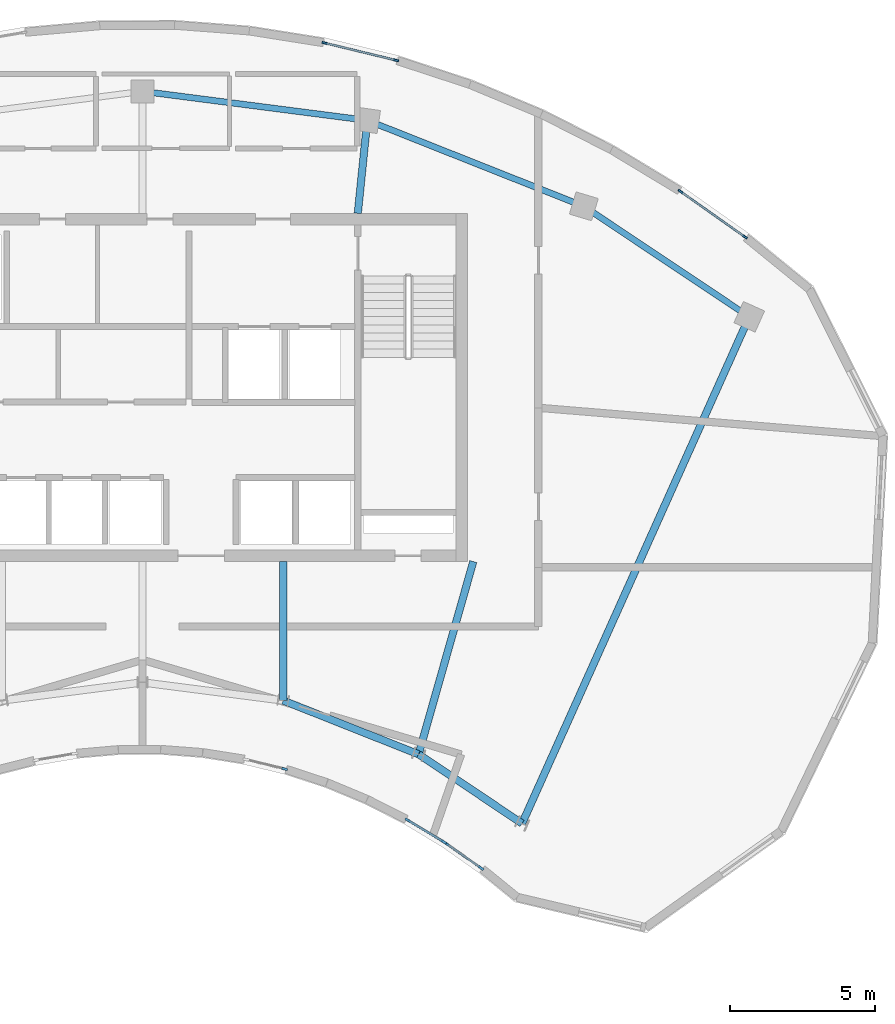
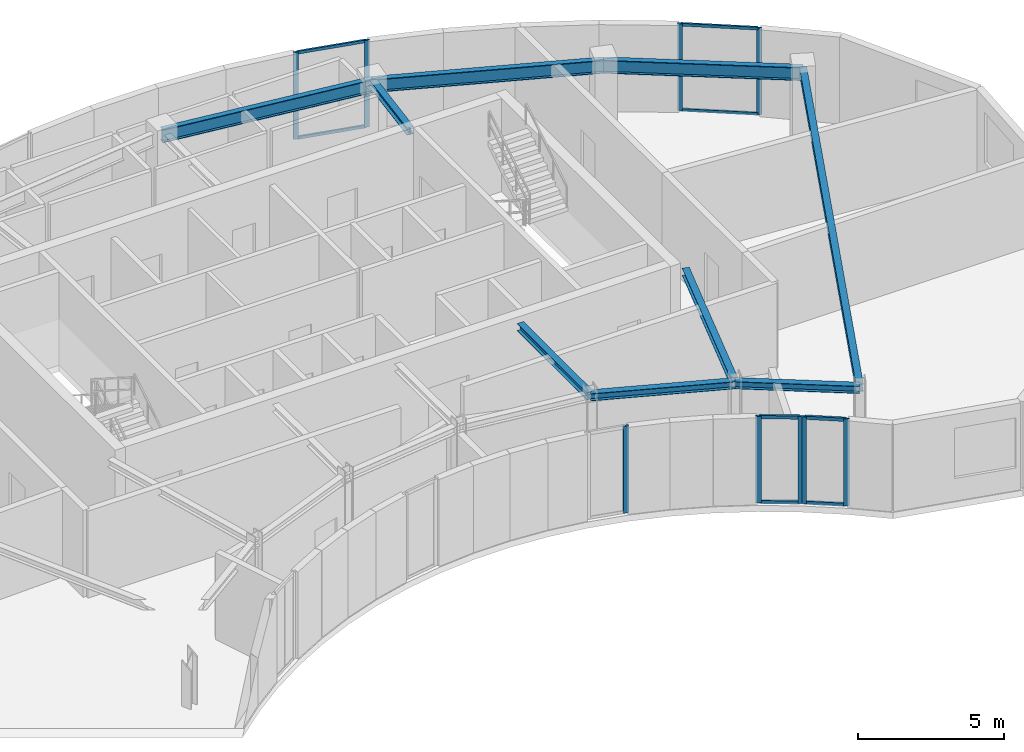
# One storey, part 3 of 9: 17 members, 9 beams, 5 elements without a shape of their own.
"""IFC4 building model written with IfcOpenShell, lengths in metres."""

from ifc_helpers import new_model, si_unit, direction, frame, origin, origin_2d, place, context, subcontext, project, spatial, rectangle, i_section, extrude, source, transform, mapped, material, layer, layer_set, material_profile, profile_set, type_object, element, aggregate, save


model = new_model("IFC4")

# Units and contexts
model_context = context("Model", 3, precision=1e-05, world=origin(), true_north=direction((0.0, 1.0)))
body_context = subcontext(model_context, "Body", "Model", "MODEL_VIEW")
ifc_project = project(units=[si_unit("LENGTHUNIT", "METRE"), si_unit("AREAUNIT", "SQUARE_METRE"), si_unit("VOLUMEUNIT", "CUBIC_METRE"), si_unit("PLANEANGLEUNIT", "RADIAN"), si_unit("MASSUNIT", "GRAM", prefix="KILO")], contexts=[model_context])

# Site, building, storey
site_placement = place(None, origin())
site = spatial("IfcSite", under=ifc_project, at=site_placement, CompositionType="ELEMENT")
building_placement = place(site_placement, origin())
building = spatial("IfcBuilding", under=site, at=building_placement, Name="Breltana Convention Tower", CompositionType="ELEMENT")
storey_placement = place(building_placement, frame((0.0, 0.0, 299.10009765625)))
storey = spatial("IfcBuildingStorey", under=building, at=storey_placement, Name="L73", CompositionType="ELEMENT", Elevation=299.10009765625)

# Beams
ifc_material_1 = material(Name="Steel ASTM A992 Grade 50", Category="steel")
ifc_material_profile_1 = material_profile(ifc_material_1, i_section(OverallWidth=0.214111328125, OverallDepth=0.549072265625, WebThickness=0.0146484375, FlangeThickness=0.023681640625, at=origin_2d()), Name="W21X93")
ifc_profile_set_1 = profile_set([ifc_material_profile_1], Name="Steel ASTM A992 Grade 50")
beam_type_1 = type_object("IfcBeamType", Name="BM-SP-W21X93", PredefinedType="SPANDREL", material=ifc_profile_set_1)
shared_shape_1 = source(origin(), body_context, "Body", "SweptSolid", [
    extrude(i_section(OverallWidth=0.214111328125, OverallDepth=0.549072265625, WebThickness=0.0146484375, FlangeThickness=0.023681640625, at=origin_2d()), origin(), (0.0, 0.0, 1.0), 8.028564453125),
])
beam_1_placement = place(storey_placement, frame((55.746826171875, 75.404296875, 3.365478515625), z_axis=(0.929459100394, -0.368925169507, 0.0), x_axis=(0.368925169507, 0.929459100394, 0.0)))
element("IfcBeam", 1, at=beam_1_placement, inside=storey, type_object=beam_type_1, Name="L73 Outer Spandrel Beam 07", PredefinedType="SPANDREL", context=body_context, shape_type="MappedRepresentation", body=[
    mapped(shared_shape_1, transform((0.0, 0.0, 0.0), scale=1.0)),
])
shared_shape_2 = source(origin(), body_context, "Body", "SweptSolid", [
    extrude(i_section(OverallWidth=0.214111328125, OverallDepth=0.549072265625, WebThickness=0.0146484375, FlangeThickness=0.023681640625, at=origin_2d()), origin(), (0.0, 0.0, 1.0), 7.81103515625),
])
beam_2_placement = place(storey_placement, frame((48.0, 76.404052734375, 3.365478515625), z_axis=(0.991775179127, -0.127992164083, 0.0), x_axis=(0.127992164083, 0.991775179127, 0.0)))
element("IfcBeam", 2, at=beam_2_placement, inside=storey, type_object=beam_type_1, Name="L73 Outer Spandrel Beam 06", PredefinedType="SPANDREL", context=body_context, shape_type="MappedRepresentation", body=[
    mapped(shared_shape_2, transform((0.0, 0.0, 0.0), scale=1.0)),
])
shared_shape_3 = source(origin(), body_context, "Body", "SweptSolid", [
    extrude(i_section(OverallWidth=0.214111328125, OverallDepth=0.549072265625, WebThickness=0.0146484375, FlangeThickness=0.023681640625, at=origin_2d()), origin(), (0.0, 0.0, 1.0), 6.856689453125),
])
beam_3_placement = place(storey_placement, frame((63.208984375, 72.4423828125, 3.365478515625), z_axis=(0.83150210718, -0.55552159792, 0.0), x_axis=(0.55552159792, 0.83150210718, 0.0)))
element("IfcBeam", 3, at=beam_3_placement, inside=storey, type_object=beam_type_1, Name="L73 Outer Spandrel Beam 08", PredefinedType="SPANDREL", context=body_context, shape_type="MappedRepresentation", body=[
    mapped(shared_shape_3, transform((0.0, 0.0, 0.0), scale=1.0)),
])
ifc_material_profile_2 = material_profile(ifc_material_1, i_section(OverallWidth=0.25390625, OverallDepth=0.305908203125, WebThickness=0.0087890625, FlangeThickness=0.0146484375, at=origin_2d()), Name="W12X53")
ifc_profile_set_2 = profile_set([ifc_material_profile_2], Name="Steel ASTM A992 Grade 50")
beam_type_2 = type_object("IfcBeamType", Name="BM-CN-W12X53", PredefinedType="BEAM", material=ifc_profile_set_2)
shared_shape_4 = source(origin(), body_context, "Body", "SweptSolid", [
    extrude(i_section(OverallWidth=0.25390625, OverallDepth=0.305908203125, WebThickness=0.0087890625, FlangeThickness=0.0146484375, at=origin_2d()), origin(), (0.0, 0.0, 1.0), 6.904541015625),
])
beam_4_placement = place(storey_placement, frame((59.39990234375, 60.199951171875, 3.48681640625), z_axis=(-0.273006781054, -0.962012108811, 0.0), x_axis=(0.962012108811, -0.273006781054, 0.0)))
element("IfcBeam", 4, at=beam_4_placement, inside=storey, type_object=beam_type_2, Name="L73 South Core Tie Girder R08", PredefinedType="BEAM", context=body_context, shape_type="MappedRepresentation", body=[
    mapped(shared_shape_4, transform((0.0, 0.0, 0.0), scale=1.0)),
])
shared_shape_5 = source(origin(), body_context, "Body", "SweptSolid", [
    extrude(i_section(OverallWidth=0.25390625, OverallDepth=0.305908203125, WebThickness=0.0087890625, FlangeThickness=0.0146484375, at=origin_2d()), origin(), (0.0, 0.0, 1.0), 4.789306640625),
])
beam_5_placement = place(storey_placement, frame((52.846435546875, 60.199951171875, 3.48681640625), z_axis=(0.0, -1.0, 0.0), x_axis=(1.0, 0.0, 0.0)))
element("IfcBeam", 5, at=beam_5_placement, inside=storey, type_object=beam_type_2, Name="L73 South Core Tie Girder R07", PredefinedType="BEAM", context=body_context, shape_type="MappedRepresentation", body=[
    mapped(shared_shape_5, transform((0.0, 0.0, 0.0), scale=1.0)),
])
shared_shape_6 = source(origin(), body_context, "Body", "SweptSolid", [
    extrude(i_section(OverallWidth=0.25390625, OverallDepth=0.305908203125, WebThickness=0.0087890625, FlangeThickness=0.0146484375, at=origin_2d()), origin(), (0.0, 0.0, 1.0), 3.220947265625),
])
beam_6_placement = place(storey_placement, frame((55.419921875, 72.199951171875, 3.48681640625), z_axis=(0.101492254858, 0.994836329355, 0.0), x_axis=(-0.994836329355, 0.101492254858, 0.0)))
element("IfcBeam", 6, at=beam_6_placement, inside=storey, type_object=beam_type_2, Name="L73 North Core Radial Girder R07", PredefinedType="BEAM", context=body_context, shape_type="MappedRepresentation", body=[
    mapped(shared_shape_6, transform((0.0, 0.0, 0.0), scale=1.0)),
])
shared_shape_7 = source(origin(), body_context, "Body", "SweptSolid", [
    extrude(i_section(OverallWidth=0.25390625, OverallDepth=0.305908203125, WebThickness=0.0087890625, FlangeThickness=0.0146484375, at=origin_2d()), origin(), (0.0, 0.0, 1.0), 19.133544921875),
])
beam_7_placement = place(storey_placement, frame((61.08203125, 51.174560546875, 3.48681640625), z_axis=(0.409144564164, 0.912469575172, 0.0), x_axis=(-0.912469575172, 0.409144564164, 0.0)))
element("IfcBeam", 7, at=beam_7_placement, inside=storey, type_object=beam_type_2, Name="L73 Radial Floor Girder R09", PredefinedType="BEAM", context=body_context, shape_type="MappedRepresentation", body=[
    mapped(shared_shape_7, transform((0.0, 0.0, 0.0), scale=1.0)),
])
shared_shape_8 = source(origin(), body_context, "Body", "SweptSolid", [
    extrude(i_section(OverallWidth=0.25390625, OverallDepth=0.305908203125, WebThickness=0.0087890625, FlangeThickness=0.0146484375, at=origin_2d()), origin(), (0.0, 0.0, 1.0), 5.022705078125),
])
beam_8_placement = place(storey_placement, frame((52.846435546875, 55.41064453125, 3.48681640625), z_axis=(0.929458966248, -0.368925507469, 0.0), x_axis=(0.368925507469, 0.929458966248, 0.0)))
element("IfcBeam", 8, at=beam_8_placement, inside=storey, type_object=beam_type_2, Name="L73 Inner Ring Beam 07", PredefinedType="BEAM", context=body_context, shape_type="MappedRepresentation", body=[
    mapped(shared_shape_8, transform((0.0, 0.0, 0.0), scale=1.0)),
])
shared_shape_9 = source(origin(), body_context, "Body", "SweptSolid", [
    extrude(i_section(OverallWidth=0.25390625, OverallDepth=0.305908203125, WebThickness=0.0087890625, FlangeThickness=0.0146484375, at=origin_2d()), origin(), (0.0, 0.0, 1.0), 4.2900390625),
])
beam_9_placement = place(storey_placement, frame((57.514892578125, 53.5576171875, 3.48681640625), z_axis=(0.831515827753, -0.555501060482, 0.0), x_axis=(0.555501060482, 0.831515827753, 0.0)))
element("IfcBeam", 9, at=beam_9_placement, inside=storey, type_object=beam_type_2, Name="L73 Inner Ring Beam 08", PredefinedType="BEAM", context=body_context, shape_type="MappedRepresentation", body=[
    mapped(shared_shape_9, transform((0.0, 0.0, 0.0), scale=1.0)),
])

# Curtain wall, members
ifc_material_2 = material(Name="Aluminium Anodised Bronze Frame", Category="aluminium")
ifc_layer_1 = layer(ifc_material_2, 0.18994140625, Name="Aluminium Anodised Bronze Frame")
ifc_layer_set_1 = layer_set([ifc_layer_1], Name="Aluminium Anodised Bronze Frame")
curtain_wall_type_1 = type_object("IfcCurtainWallType", Name="CW-SYS-1", PredefinedType="NOTDEFINED", material=ifc_layer_set_1)
curtain_wall_1_placement = place(storey_placement, origin())
curtain_wall_1 = element("IfcCurtainWall", 10, at=curtain_wall_1_placement, inside=storey, type_object=curtain_wall_type_1, Name="L73 inner south-court glazing 1", PredefinedType="NOTDEFINED")
ifc_material_3 = material(Name="Aluminium Anodised Bronze", Category="aluminium")
ifc_material_profile_3 = material_profile(ifc_material_3, rectangle(XDim=0.080078125, YDim=0.199951171875, at=origin_2d()), Name="CWM-80X200")
ifc_profile_set_3 = profile_set([ifc_material_profile_3], Name="Aluminium Anodised Bronze")
member_type_1 = type_object("IfcMemberType", Name="CWM-200", PredefinedType="MULLION", material=ifc_profile_set_3)
shared_shape_10 = source(origin(), body_context, "Body", "SweptSolid", [
    extrude(rectangle(XDim=0.080078125, YDim=0.199951171875, at=origin_2d()), origin(), (0.0, 0.0, 1.0), 3.639892578125),
])
member_1_placement = place(storey_placement, frame((59.667724609375, 49.635986328125, 0.0), z_axis=(0.0, 0.0, 1.0), x_axis=(-0.576173895534, -0.817327132857, 0.0)))
member_1 = element("IfcMember", 11, at=member_1_placement, type_object=member_type_1, Name="CW-01 mullion 1", PredefinedType="MULLION", context=body_context, shape_type="MappedRepresentation", body=[
    mapped(shared_shape_10, transform((0.0, 0.0, 0.0), scale=1.0)),
])
member_2_placement = place(storey_placement, frame((58.4599609375, 50.4873046875, 0.0), z_axis=(0.0, 0.0, 1.0), x_axis=(-0.576173895534, -0.817327132857, 0.0)))
member_2 = element("IfcMember", 12, at=member_2_placement, type_object=member_type_1, Name="CW-01 mullion 2", PredefinedType="MULLION", context=body_context, shape_type="MappedRepresentation", body=[
    mapped(shared_shape_10, transform((0.0, 0.0, 0.0), scale=1.0)),
])

curtain_wall_2_placement = place(storey_placement, origin())
curtain_wall_2 = element("IfcCurtainWall", 13, at=curtain_wall_2_placement, inside=storey, type_object=curtain_wall_type_1, Name="L73 inner south-court glazing 2", PredefinedType="NOTDEFINED")
member_3_placement = place(storey_placement, frame((58.38232421875, 50.5380859375, 0.0), z_axis=(0.0, 0.0, 1.0), x_axis=(-0.516826673654, -0.856090059164, 0.0)))
member_3 = element("IfcMember", 14, at=member_3_placement, type_object=member_type_1, Name="CW-01 mullion 1", PredefinedType="MULLION", context=body_context, shape_type="MappedRepresentation", body=[
    mapped(shared_shape_10, transform((0.0, 0.0, 0.0), scale=1.0)),
])
member_4_placement = place(storey_placement, frame((57.139404296875, 51.288330078125, 0.0), z_axis=(0.0, 0.0, 1.0), x_axis=(-0.516826673654, -0.856090059164, 0.0)))
member_4 = element("IfcMember", 15, at=member_4_placement, type_object=member_type_1, Name="CW-01 mullion 2", PredefinedType="MULLION", context=body_context, shape_type="MappedRepresentation", body=[
    mapped(shared_shape_10, transform((0.0, 0.0, 0.0), scale=1.0)),
])

# Curtain wall, member
curtain_wall_3_placement = place(storey_placement, origin())
curtain_wall_3 = element("IfcCurtainWall", 16, at=curtain_wall_3_placement, inside=storey, type_object=curtain_wall_type_1, Name="L73 inner south-court glazing 3", PredefinedType="NOTDEFINED")
member_5_placement = place(storey_placement, frame((52.89990234375, 53.0517578125, 0.0), z_axis=(0.0, 0.0, 1.0), x_axis=(-0.235517485062, -0.97187011181, 0.0)))
member_5 = element("IfcMember", 17, at=member_5_placement, type_object=member_type_1, Name="CW-01 mullion 1", PredefinedType="MULLION", context=body_context, shape_type="MappedRepresentation", body=[
    mapped(shared_shape_10, transform((0.0, 0.0, 0.0), scale=1.0)),
])
aggregate(curtain_wall_3, [member_5])

# Curtain wall, members
ifc_layer_2 = layer(ifc_material_2, 0.22998046875, Name="Aluminium Anodised Bronze Frame")
ifc_layer_set_2 = layer_set([ifc_layer_2], Name="Aluminium Anodised Bronze Frame")
curtain_wall_type_2 = type_object("IfcCurtainWallType", Name="CW-SYS-5", PredefinedType="NOTDEFINED", material=ifc_layer_set_2)
curtain_wall_4_placement = place(storey_placement, origin())
curtain_wall_4 = element("IfcCurtainWall", 18, at=curtain_wall_4_placement, inside=storey, type_object=curtain_wall_type_2, Name="L73 outer double-skin inner glazing 4", PredefinedType="NOTDEFINED")
ifc_material_profile_4 = material_profile(ifc_material_3, rectangle(XDim=0.070068359375, YDim=0.175048828125, at=origin_2d()), Name="CWM-70X175")
ifc_profile_set_4 = profile_set([ifc_material_profile_4], Name="Aluminium Anodised Bronze")
member_type_2 = type_object("IfcMemberType", Name="CWM-175", PredefinedType="MULLION", material=ifc_profile_set_4)
shared_shape_11 = source(origin(), body_context, "Body", "SweptSolid", [
    extrude(rectangle(XDim=0.070068359375, YDim=0.175048828125, at=origin_2d()), origin(), (0.0, 0.0, 1.0), 3.639892578125),
])
member_6_placement = place(storey_placement, frame((54.273193359375, 78.0732421875, 0.0), z_axis=(0.0, 0.0, 1.0), x_axis=(0.235517807109, 0.971870033767, 0.0)))
member_6 = element("IfcMember", 19, at=member_6_placement, type_object=member_type_2, Name="CW-05 mullion 1", PredefinedType="MULLION", context=body_context, shape_type="MappedRepresentation", body=[
    mapped(shared_shape_11, transform((0.0, 0.0, 0.0), scale=1.0)),
])
member_7_placement = place(storey_placement, frame((56.74267578125, 77.474853515625, 0.0), z_axis=(0.0, 0.0, 1.0), x_axis=(0.235517807109, 0.971870033767, 0.0)))
member_7 = element("IfcMember", 20, at=member_7_placement, type_object=member_type_2, Name="CW-05 mullion 2", PredefinedType="MULLION", context=body_context, shape_type="MappedRepresentation", body=[
    mapped(shared_shape_11, transform((0.0, 0.0, 0.0), scale=1.0)),
])

curtain_wall_5_placement = place(storey_placement, origin())
curtain_wall_5 = element("IfcCurtainWall", 21, at=curtain_wall_5_placement, inside=storey, type_object=curtain_wall_type_2, Name="L73 outer double-skin inner glazing 5", PredefinedType="NOTDEFINED")
member_8_placement = place(storey_placement, frame((66.5390625, 72.955078125, 0.0), z_axis=(0.0, 0.0, 1.0), x_axis=(0.576234994683, 0.817284057658, 0.0)))
member_8 = element("IfcMember", 22, at=member_8_placement, type_object=member_type_2, Name="CW-05 mullion 1", PredefinedType="MULLION", context=body_context, shape_type="MappedRepresentation", body=[
    mapped(shared_shape_11, transform((0.0, 0.0, 0.0), scale=1.0)),
])
member_9_placement = place(storey_placement, frame((68.76611328125, 71.385009765625, 0.0), z_axis=(0.0, 0.0, 1.0), x_axis=(0.576234994683, 0.817284057658, 0.0)))
member_9 = element("IfcMember", 23, at=member_9_placement, type_object=member_type_2, Name="CW-05 mullion 2", PredefinedType="MULLION", context=body_context, shape_type="MappedRepresentation", body=[
    mapped(shared_shape_11, transform((0.0, 0.0, 0.0), scale=1.0)),
])

# Member
ifc_material_profile_5 = material_profile(ifc_material_3, rectangle(XDim=0.080078125, YDim=0.139892578125, at=origin_2d()), Name="CWT-80X140")
ifc_profile_set_5 = profile_set([ifc_material_profile_5], Name="Aluminium Anodised Bronze")
member_type_3 = type_object("IfcMemberType", Name="CWT-140", PredefinedType="USERDEFINED", material=ifc_profile_set_5)
shared_shape_12 = source(origin(), body_context, "Body", "SweptSolid", [
    extrude(rectangle(XDim=0.080078125, YDim=0.139892578125, at=origin_2d()), origin(), (0.0, 0.0, 1.0), 1.3974609375),
])
member_10_placement = place(storey_placement, frame((59.635009765625, 49.658935546875, 0.039794921875), z_axis=(-0.817364650956, 0.576120670838, 0.0), x_axis=(-0.576120670838, -0.817364650956, 0.0)))
member_10 = element("IfcMember", 24, at=member_10_placement, type_object=member_type_3, Name="CW-01 transom 1.1", ObjectType="TRANSOM", PredefinedType="USERDEFINED", context=body_context, shape_type="MappedRepresentation", body=[
    mapped(shared_shape_12, transform((0.0, 0.0, 0.0), scale=1.0)),
])

member_11_placement = place(storey_placement, frame((59.635009765625, 49.658935546875, 3.599853515625), z_axis=(-0.817364650956, 0.576120670838, 0.0), x_axis=(-0.576120670838, -0.817364650956, 0.0)))
member_11 = element("IfcMember", 25, at=member_11_placement, type_object=member_type_3, Name="CW-01 transom 1.2", ObjectType="TRANSOM", PredefinedType="USERDEFINED", context=body_context, shape_type="MappedRepresentation", body=[
    mapped(shared_shape_12, transform((0.0, 0.0, 0.0), scale=1.0)),
])

aggregate(curtain_wall_1, [member_1, member_2, member_10, member_11])

shared_shape_13 = source(origin(), body_context, "Body", "SweptSolid", [
    extrude(rectangle(XDim=0.080078125, YDim=0.139892578125, at=origin_2d()), origin(), (0.0, 0.0, 1.0), 1.3720703125),
])
member_12_placement = place(storey_placement, frame((58.34814453125, 50.55859375, 0.039794921875), z_axis=(-0.856123865056, 0.516770672235, 0.0), x_axis=(-0.516770672235, -0.856123865056, 0.0)))
member_12 = element("IfcMember", 26, at=member_12_placement, type_object=member_type_3, Name="CW-01 transom 1.1", ObjectType="TRANSOM", PredefinedType="USERDEFINED", context=body_context, shape_type="MappedRepresentation", body=[
    mapped(shared_shape_13, transform((0.0, 0.0, 0.0), scale=1.0)),
])

member_13_placement = place(storey_placement, frame((58.34814453125, 50.55859375, 3.599853515625), z_axis=(-0.856123865056, 0.516770672235, 0.0), x_axis=(-0.516770672235, -0.856123865056, 0.0)))
member_13 = element("IfcMember", 27, at=member_13_placement, type_object=member_type_3, Name="CW-01 transom 1.2", ObjectType="TRANSOM", PredefinedType="USERDEFINED", context=body_context, shape_type="MappedRepresentation", body=[
    mapped(shared_shape_13, transform((0.0, 0.0, 0.0), scale=1.0)),
])

aggregate(curtain_wall_2, [member_3, member_4, member_12, member_13])

ifc_material_profile_6 = material_profile(ifc_material_3, rectangle(XDim=0.070068359375, YDim=0.1201171875, at=origin_2d()), Name="CWT-70X120")
ifc_profile_set_6 = profile_set([ifc_material_profile_6], Name="Aluminium Anodised Bronze")
member_type_4 = type_object("IfcMemberType", Name="CWT-120", PredefinedType="USERDEFINED", material=ifc_profile_set_6)
shared_shape_14 = source(origin(), body_context, "Body", "SweptSolid", [
    extrude(rectangle(XDim=0.070068359375, YDim=0.1201171875, at=origin_2d()), origin(), (0.0, 0.0, 1.0), 2.470947265625),
])
member_14_placement = place(storey_placement, frame((54.30712890625, 78.065185546875, 0.034912109375), z_axis=(0.971861073618, -0.235554778315, 0.0), x_axis=(0.235554778315, 0.971861073618, 0.0)))
member_14 = element("IfcMember", 28, at=member_14_placement, type_object=member_type_4, Name="CW-05 transom 1.1", ObjectType="TRANSOM", PredefinedType="USERDEFINED", context=body_context, shape_type="MappedRepresentation", body=[
    mapped(shared_shape_14, transform((0.0, 0.0, 0.0), scale=1.0)),
])

member_15_placement = place(storey_placement, frame((54.30712890625, 78.065185546875, 3.60498046875), z_axis=(0.971861073618, -0.235554778315, 0.0), x_axis=(0.235554778315, 0.971861073618, 0.0)))
member_15 = element("IfcMember", 29, at=member_15_placement, type_object=member_type_4, Name="CW-05 transom 1.2", ObjectType="TRANSOM", PredefinedType="USERDEFINED", context=body_context, shape_type="MappedRepresentation", body=[
    mapped(shared_shape_14, transform((0.0, 0.0, 0.0), scale=1.0)),
])

aggregate(curtain_wall_4, [member_6, member_7, member_14, member_15])

shared_shape_15 = source(origin(), body_context, "Body", "SweptSolid", [
    extrude(rectangle(XDim=0.070068359375, YDim=0.1201171875, at=origin_2d()), origin(), (0.0, 0.0, 1.0), 2.65478515625),
])
member_16_placement = place(storey_placement, frame((66.567626953125, 72.93505859375, 0.034912109375), z_axis=(0.817235368234, -0.576304045541, 0.0), x_axis=(0.576304045541, 0.817235368234, 0.0)))
member_16 = element("IfcMember", 30, at=member_16_placement, type_object=member_type_4, Name="CW-05 transom 1.1", ObjectType="TRANSOM", PredefinedType="USERDEFINED", context=body_context, shape_type="MappedRepresentation", body=[
    mapped(shared_shape_15, transform((0.0, 0.0, 0.0), scale=1.0)),
])

member_17_placement = place(storey_placement, frame((66.567626953125, 72.93505859375, 3.60498046875), z_axis=(0.817235368234, -0.576304045541, 0.0), x_axis=(0.576304045541, 0.817235368234, 0.0)))
member_17 = element("IfcMember", 31, at=member_17_placement, type_object=member_type_4, Name="CW-05 transom 1.2", ObjectType="TRANSOM", PredefinedType="USERDEFINED", context=body_context, shape_type="MappedRepresentation", body=[
    mapped(shared_shape_15, transform((0.0, 0.0, 0.0), scale=1.0)),
])

aggregate(curtain_wall_5, [member_8, member_9, member_16, member_17])

save(model, "model.ifc")
